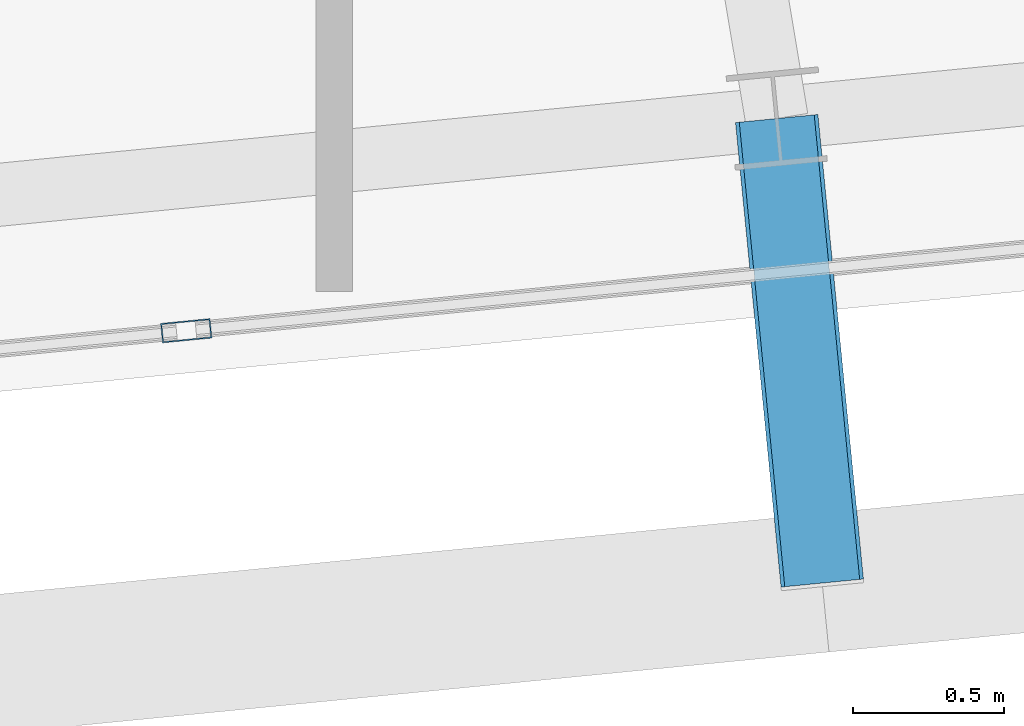
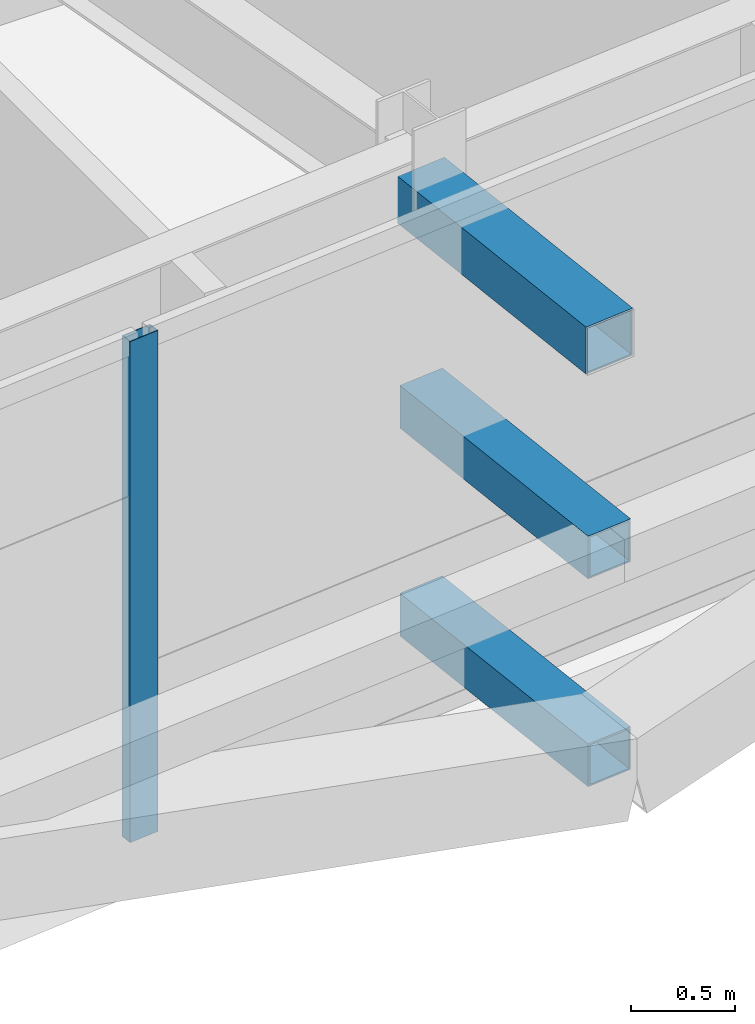
# One storey, part 15 of 47: 4 members, 1 element without a shape of its own.
"""IFC4 building model written with IfcOpenShell, lengths in metres."""

from ifc_helpers import new_model, si_unit, direction, frame, origin, origin_2d, place, context, subcontext, project, spatial, hollow_rectangle, extrude, source, transform, mapped, material, layer, layer_set, material_profile, profile_set, type_object, element, aggregate, save


model = new_model("IFC4")

# Units and contexts
model_context = context("Model", 3, precision=1e-05, world=origin(), true_north=direction((0.0, 1.0)))
body_context = subcontext(model_context, "Body", "Model", "MODEL_VIEW")
ifc_project = project(units=[si_unit("LENGTHUNIT", "METRE"), si_unit("AREAUNIT", "SQUARE_METRE"), si_unit("VOLUMEUNIT", "CUBIC_METRE"), si_unit("PLANEANGLEUNIT", "RADIAN"), si_unit("MASSUNIT", "GRAM", prefix="KILO")], contexts=[model_context])

# Site, building, storey
site_placement = place(None, origin())
site = spatial("IfcSite", under=ifc_project, at=site_placement, CompositionType="ELEMENT")
building_placement = place(site_placement, origin())
building = spatial("IfcBuilding", under=site, at=building_placement, Name="Taldren Reach Tower", CompositionType="ELEMENT")
storey_placement = place(building_placement, frame((0.0, 0.0, 106.050048828125)))
storey = spatial("IfcBuildingStorey", under=building, at=storey_placement, Name="L32", CompositionType="ELEMENT", Elevation=106.050048828125)

# Members
ifc_material_1 = material(Name="Steel Gr 450 (C450L0)", Category="steel")
ifc_material_profile_1 = material_profile(ifc_material_1, hollow_rectangle(XDim=0.27490234375, YDim=0.27490234375, WallThickness=0.00927734375, at=origin_2d()), Name="275x275x9.3SHS")
ifc_profile_set_1 = profile_set([ifc_material_profile_1], Name="Steel Gr 450 (C450L0)")
member_type_1 = type_object("IfcMemberType", Name="MB-TIE273", PredefinedType="STRUT", material=ifc_profile_set_1)
shared_shape_1 = source(origin(), body_context, "Body", "SweptSolid", [
    extrude(hollow_rectangle(XDim=0.27490234375, YDim=0.27490234375, WallThickness=0.00927734375, at=origin_2d()), origin(), (0.0, 0.0, 1.0), 1.5498046875),
])
member_1_placement = place(storey_placement, frame((53.469482421875, 3.698486328125, 2.64990234375), z_axis=(0.097507178627, -0.995234821595, 0.0), x_axis=(0.995234821595, 0.097507178627, 0.0)))
element("IfcMember", 1, at=member_1_placement, inside=storey, type_object=member_type_1, Name="Exoskeleton diaphragm tie strut B2-S5 L32", PredefinedType="STRUT", context=body_context, shape_type="MappedRepresentation", body=[
    mapped(shared_shape_1, transform((0.0, 0.0, 0.0), scale=1.0)),
])
ifc_material_2 = material(Name="Steel Gr 350 (C350L0)", Category="steel")
ifc_material_profile_2 = material_profile(ifc_material_2, hollow_rectangle(XDim=0.25, YDim=0.25, WallThickness=0.010009765625, at=origin_2d()), Name="250x250x10.0SHS")
ifc_profile_set_2 = profile_set([ifc_material_profile_2], Name="Steel Gr 350 (C350L0)")
member_type_2 = type_object("IfcMemberType", Name="MB-POST250", PredefinedType="POST", material=ifc_profile_set_2)
shared_shape_2 = source(origin(), body_context, "Body", "SweptSolid", [
    extrude(hollow_rectangle(XDim=0.25, YDim=0.25, WallThickness=0.010009765625, at=origin_2d()), origin(), (0.0, 0.0, 1.0), 1.5498046875),
])
for number, where, z_axis, x_axis, name in (
    (2, (53.469482421875, 3.698486328125, 0.219970703125), (0.097507178627, -0.995234821595, 0.0), (0.995234821595, 0.097507178627, 0.0), "Exoskeleton base diaphragm tie strut B2-S5 L32"),
    (3, (53.469482421875, 3.698486328125, 1.43505859375), (0.097507178627, -0.995234821595, 0.0), (0.995234821595, 0.097507178627, 0.0), "Exoskeleton mid-tier diaphragm tie B2-S5 L32"),
):
    element("IfcMember", number, at=place(storey_placement, frame(where, z_axis=z_axis, x_axis=x_axis)), inside=storey, type_object=member_type_2, Name=name, PredefinedType="POST", context=body_context, shape_type="MappedRepresentation", body=[
        mapped(shared_shape_2, transform((0.0, 0.0, 0.0), scale=1.0)),
    ])

# Curtain wall, member
ifc_material_3 = material(Name="Aluminium and Low-E Glass Unitised System", Category="aluminium")
ifc_layer = layer(ifc_material_3, 0.159912109375)
ifc_layer_set = layer_set([ifc_layer], Name="Aluminium and Low-E Glass Unitised System")
curtain_wall_type = type_object("IfcCurtainWallType", Name="CW-SYS-3", PredefinedType="NOTDEFINED", material=ifc_layer_set)
curtain_wall_placement = place(storey_placement, origin())
curtain_wall = element("IfcCurtainWall", 4, at=curtain_wall_placement, inside=storey, type_object=curtain_wall_type, Name="Unitised curtain wall CW-L32-S", PredefinedType="NOTDEFINED")
ifc_material_4 = material(Name="Anodised Aluminium 6063-T6", Category="aluminium")
ifc_material_profile_3 = material_profile(ifc_material_4, hollow_rectangle(XDim=0.06494140625, YDim=0.1650390625, WallThickness=0.00390625, at=origin_2d()), Name="ALU-165x65x4RHS")
ifc_profile_set_3 = profile_set([ifc_material_profile_3], Name="Anodised Aluminium 6063-T6")
member_type_3 = type_object("IfcMemberType", Name="CW-MUL-165", PredefinedType="MULLION", material=ifc_profile_set_3)
shared_shape_3 = source(origin(), body_context, "Body", "SweptSolid", [
    extrude(hollow_rectangle(XDim=0.06494140625, YDim=0.1650390625, WallThickness=0.00390625, at=origin_2d()), origin(), (0.0, 0.0, 1.0), 2.929931640625),
])
member_2_placement = place(storey_placement, frame((51.5087890625, 2.993896484375, 0.0), z_axis=(0.0, 0.0, 1.0), x_axis=(-0.097582999046, 0.995227390247, 0.0)))
member_2 = element("IfcMember", 5, at=member_2_placement, type_object=member_type_3, Name="CW-3 mullion 4", PredefinedType="MULLION", context=body_context, shape_type="MappedRepresentation", body=[
    mapped(shared_shape_3, transform((0.0, 0.0, 0.0), scale=1.0)),
])
aggregate(curtain_wall, [member_2])

save(model, "model.ifc")
